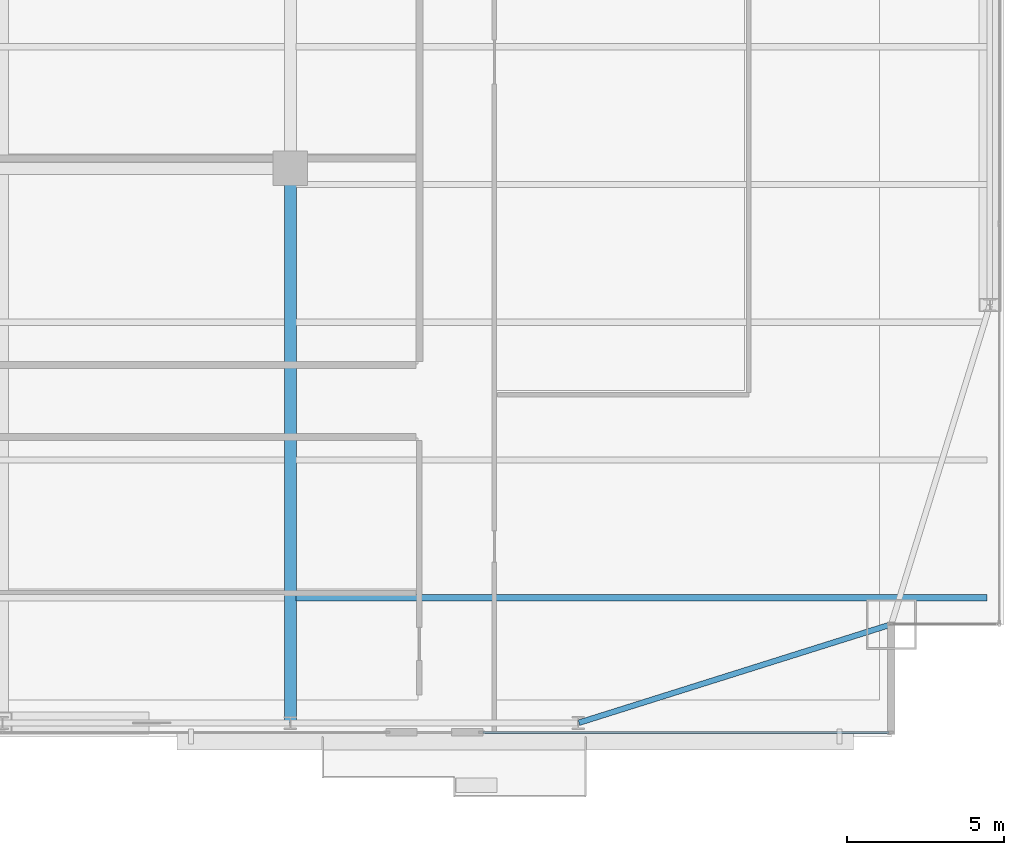
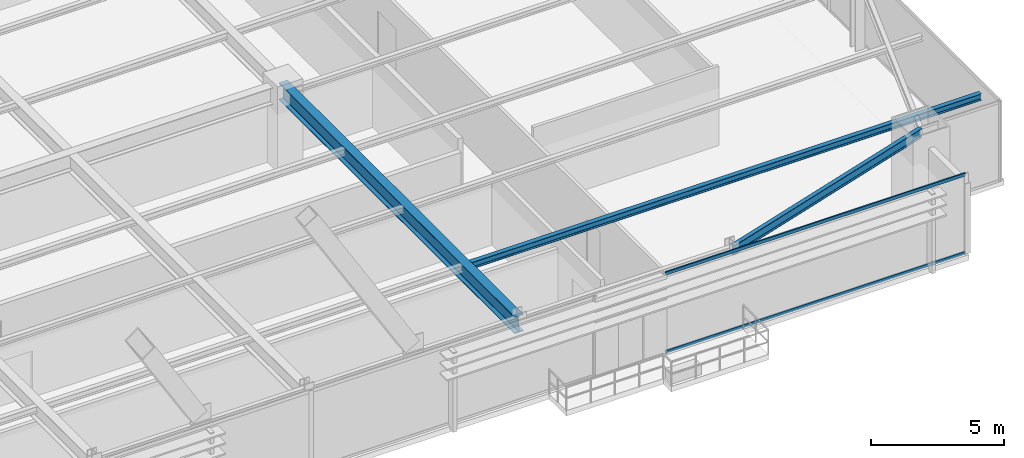
# One storey, part 13 of 34: 3 beams, 2 members, 1 element without a shape of its own.
"""IFC4 building model written with IfcOpenShell, lengths in metres."""

import ifcopenshell
import ifcopenshell.guid

model = None  # the IFC model being written
_history = None  # IfcOwnerHistory: only IFC2X3 demands one
_inside = {}  # id of a spatial element -> (the spatial element, [elements in it])
_under = {}  # id of a project, library or spatial element -> (it, [spatial elements below it])
_declared = {}  # id of a project -> (the project, [libraries it declares])
_typed = {}  # id of a type object -> (the type object, [elements of that type])
_made_of = {}  # id of a material, layer set ... -> (it, [elements and type objects made of it])


def new_model(schema):
    """Start an empty IFC model of exactly this schema.

    Asked for "IFC4X3", IfcOpenShell would pick the latest addendum, in which some entities
    have other attributes; the version numbers below select the first issue.
    IFC2X3 requires an IfcOwnerHistory on every rooted entity: one is made here for all.
    """
    global model, _history
    if schema == "IFC4X3":
        model = ifcopenshell.file(schema_version=(4, 3, 0, 0))
    else:
        model = ifcopenshell.file(schema=schema)
    _inside.clear()
    _under.clear()
    _declared.clear()
    _typed.clear()
    _made_of.clear()
    _history = None
    if model.schema == "IFC2X3":
        org = make("IfcOrganization", Name="unknown")
        user = make(
            "IfcPersonAndOrganization",
            ThePerson=make("IfcPerson", FamilyName="unknown"),
            TheOrganization=org,
        )
        app = make(
            "IfcApplication",
            ApplicationDeveloper=org,
            Version="unknown",
            ApplicationFullName="unknown",
            ApplicationIdentifier="unknown",
        )
        _history = make(
            "IfcOwnerHistory",
            OwningUser=user,
            OwningApplication=app,
            ChangeAction="ADDED",
            CreationDate=0,
        )
    return model


def make(cls, **values):
    """One entity of the class cls with the attributes given. An attribute that is None is left unset."""
    return model.create_entity(
        cls, **{name: value for name, value in values.items() if value is not None}
    )


def rooted(cls, **values):
    """An entity with a GlobalId (a new one), such as an element, a storey or a relation."""
    return make(cls, GlobalId=ifcopenshell.guid.new(), OwnerHistory=_history, **values)


def si_unit(unit_type, name, prefix=None):
    """IfcSIUnit, for example si_unit("LENGTHUNIT", "METRE", prefix="MILLI")."""
    return make("IfcSIUnit", UnitType=unit_type, Prefix=prefix, Name=name)


def assignment(units):
    """IfcUnitAssignment: the units of a project."""
    return None if units is None else make("IfcUnitAssignment", Units=units)


def point(xyz):
    """IfcCartesianPoint."""
    return None if xyz is None else make("IfcCartesianPoint", Coordinates=xyz)


def direction(xyz):
    """IfcDirection."""
    return None if xyz is None else make("IfcDirection", DirectionRatios=xyz)


def frame(location, z_axis=None, x_axis=None):
    """IfcAxis2Placement3D, a coordinate frame: its origin and axes. An axis left out is left unset."""
    return make(
        "IfcAxis2Placement3D",
        Location=point(location),
        Axis=direction(z_axis),
        RefDirection=direction(x_axis),
    )


def frame_2d(location, x_axis=None):
    """IfcAxis2Placement2D, a coordinate frame in the plane: its origin and x axis."""
    return make(
        "IfcAxis2Placement2D", Location=point(location), RefDirection=direction(x_axis)
    )


def origin():
    """The frame at (0, 0, 0) with its axes left unset."""
    return frame((0.0, 0.0, 0.0))


def origin_2d():
    """The frame at (0, 0) in the plane with its x axis left unset."""
    return frame_2d((0.0, 0.0))


def place(relative_to, where):
    """IfcLocalPlacement: puts the frame where relative to a parent placement (None: the world)."""
    return make(
        "IfcLocalPlacement", PlacementRelTo=relative_to, RelativePlacement=where
    )


def context(
    kind, dimensions, precision=None, world=None, true_north=None, identifier=None
):
    """IfcGeometricRepresentationContext, for example the 3D "Model" context."""
    return make(
        "IfcGeometricRepresentationContext",
        ContextIdentifier=identifier,
        ContextType=kind,
        CoordinateSpaceDimension=dimensions,
        Precision=precision,
        WorldCoordinateSystem=world,
        TrueNorth=true_north,
    )


def subcontext(parent, identifier, kind, view, scale=None):
    """IfcGeometricRepresentationSubContext, for example "Body" below "Model"."""
    return make(
        "IfcGeometricRepresentationSubContext",
        ContextIdentifier=identifier,
        ContextType=kind,
        ParentContext=parent,
        TargetScale=scale,
        TargetView=view,
    )


def project(units=None, contexts=None):
    """IfcProject with its units and contexts."""
    return rooted(
        "IfcProject",
        Name="project",
        RepresentationContexts=contexts,
        UnitsInContext=assignment(units),
    )


def spatial(cls, under=None, at=None, **own):
    """A site, building, storey or space (cls), placed at a placement, below another one or the project."""
    s = rooted(cls, ObjectPlacement=at, **own)
    if under is not None:
        _under.setdefault(under.id(), (under, []))[1].append(s)
    return s


def profile(cls, at=None, kind="AREA", **sizes):
    """A parametric profile (cls). Its sizes go by their IFC names, for example OverallWidth=200.0."""
    return make(cls, ProfileType=kind, Position=at, **sizes)


def hollow_rectangle(**sizes):
    """IfcRectangleHollowProfileDef."""
    return profile("IfcRectangleHollowProfileDef", **sizes)


def i_section(**sizes):
    """IfcIShapeProfileDef."""
    return profile("IfcIShapeProfileDef", **sizes)


def extrude(swept, where, along, depth):
    """IfcExtrudedAreaSolid: the profile swept, set in the frame where, extruded along a direction by depth."""
    return make(
        "IfcExtrudedAreaSolid",
        SweptArea=swept,
        Position=where,
        ExtrudedDirection=direction(along),
        Depth=depth,
    )


def shape(context_of_items, identifier, shape_type, items):
    """IfcShapeRepresentation: the items that make up one representation, for example the "Body"."""
    return make(
        "IfcShapeRepresentation",
        ContextOfItems=context_of_items,
        RepresentationIdentifier=identifier,
        RepresentationType=shape_type,
        Items=items,
    )


def source(mapping_origin, context_of_items, identifier, shape_type, items):
    """IfcRepresentationMap: a shape defined once, which mapped items show again and again."""
    return make(
        "IfcRepresentationMap",
        MappingOrigin=mapping_origin,
        MappedRepresentation=shape(context_of_items, identifier, shape_type, items),
    )


def transform(
    local_origin,
    x_axis=None,
    y_axis=None,
    z_axis=None,
    scale=None,
    scale2=None,
    scale3=None,
    uniform=True,
):
    """IfcCartesianTransformationOperator3D, or its non-uniform kind. x_axis, y_axis, z_axis: its Axis1, 2, 3."""
    if uniform:
        return make(
            "IfcCartesianTransformationOperator3D",
            Axis1=direction(x_axis),
            Axis2=direction(y_axis),
            LocalOrigin=point(local_origin),
            Scale=scale,
            Axis3=direction(z_axis),
        )
    return make(
        "IfcCartesianTransformationOperator3DnonUniform",
        Axis1=direction(x_axis),
        Axis2=direction(y_axis),
        LocalOrigin=point(local_origin),
        Scale=scale,
        Axis3=direction(z_axis),
        Scale2=scale2,
        Scale3=scale3,
    )


def mapped(mapping_source, mapping_target):
    """IfcMappedItem: shows the shape of a source again, moved by a transform."""
    return make(
        "IfcMappedItem", MappingSource=mapping_source, MappingTarget=mapping_target
    )


def material(Name=None, Category=None):
    """IfcMaterial."""
    return make("IfcMaterial", Name=Name, Category=Category)


def layer(
    of_material, thickness, ventilated=None, Name=None, Category=None, Priority=None
):
    """IfcMaterialLayer: one layer of a wall or slab, of a material (None: an air gap)."""
    return make(
        "IfcMaterialLayer",
        Material=of_material,
        LayerThickness=thickness,
        IsVentilated=ventilated,
        Name=Name,
        Category=Category,
        Priority=Priority,
    )


def layer_set(layers, Name=None):
    """IfcMaterialLayerSet."""
    return make("IfcMaterialLayerSet", MaterialLayers=layers, LayerSetName=Name)


def material_profile(
    of_material, cross_section, Name=None, Category=None, Priority=None
):
    """IfcMaterialProfile: a cross section and its material."""
    return make(
        "IfcMaterialProfile",
        Name=Name,
        Material=of_material,
        Profile=cross_section,
        Priority=Priority,
        Category=Category,
    )


def profile_set(profiles, Name=None, composite=None):
    """IfcMaterialProfileSet."""
    return make(
        "IfcMaterialProfileSet",
        Name=Name,
        MaterialProfiles=profiles,
        CompositeProfile=composite,
    )


def made_of(thing, what):
    """Note that an element or type object is made of a material, layer set ...; save() writes the relation."""
    if what is not None:
        _made_of.setdefault(what.id(), (what, []))[1].append(thing)
    return thing


def type_object(cls, material=None, **own):
    """A type object (cls), such as IfcWallType, which elements share."""
    return made_of(rooted(cls, **own), material)


def type_shapes(of_type, sources):
    """Give a type object the sources (RepresentationMaps) that its elements show as mapped items."""
    of_type.RepresentationMaps = sources


def element(
    cls,
    number,
    at=None,
    inside=None,
    cuts=None,
    type_object=None,
    material=None,
    context=None,
    identifier="Body",
    shape_type=None,
    held_by="IfcProductDefinitionShape",
    body=None,
    shapes=None,
    **own,
):
    """One element of the class cls, such as IfcWall. Its Tag is "e" and its number.

    at: its placement. inside: the storey or other place that contains it. cuts: it is an
    opening in that element (IfcRelVoidsElement). A single representation is given by context,
    identifier, shape_type and body (its items); several are given by shapes. held_by: the class
    of the entity that holds the representations. save() writes the other relations.
    """
    e = rooted(cls, Tag="e%d" % number, ObjectPlacement=at, **own)
    if body is not None:
        shapes = [shape(context, identifier, shape_type, body)]
    if shapes is not None:
        e.Representation = make(held_by, Representations=shapes)
    if inside is not None:
        _inside.setdefault(inside.id(), (inside, []))[1].append(e)
    if cuts is not None:
        rooted(
            "IfcRelVoidsElement", RelatingBuildingElement=cuts, RelatedOpeningElement=e
        )
    if type_object is not None:
        _typed.setdefault(type_object.id(), (type_object, []))[1].append(e)
    return made_of(e, material)


def aggregate(whole, parts):
    """IfcRelAggregates: a whole, such as a stair, and the parts it consists of."""
    return rooted("IfcRelAggregates", RelatingObject=whole, RelatedObjects=parts)


def save(model, path):
    """Write the relations noted so far, then the file.

    IfcRelAggregates (storeys below a building ...), IfcRelContainedInSpatialStructure (elements
    in a storey), IfcRelDefinesByType, IfcRelAssociatesMaterial and IfcRelDeclares: one each for
    every whole, place, type object, material and project.
    """
    for whole, parts in _under.values():
        aggregate(whole, parts)
    for where, things in _inside.values():
        rooted(
            "IfcRelContainedInSpatialStructure",
            RelatedElements=things,
            RelatingStructure=where,
        )
    for kind, things in _typed.values():
        rooted("IfcRelDefinesByType", RelatedObjects=things, RelatingType=kind)
    for what, things in _made_of.values():
        rooted("IfcRelAssociatesMaterial", RelatedObjects=things, RelatingMaterial=what)
    for by, libraries in _declared.values():
        rooted("IfcRelDeclares", RelatingContext=by, RelatedDefinitions=libraries)
    model.write(path)


model = new_model("IFC4")

# Units and contexts
model_context = context("Model", 3, precision=1e-05, world=origin(), true_north=direction((0.0, 1.0)))
body_context = subcontext(model_context, "Body", "Model", "MODEL_VIEW")
ifc_project = project(units=[si_unit("LENGTHUNIT", "METRE"), si_unit("AREAUNIT", "SQUARE_METRE"), si_unit("VOLUMEUNIT", "CUBIC_METRE"), si_unit("PLANEANGLEUNIT", "RADIAN"), si_unit("MASSUNIT", "GRAM", prefix="KILO")], contexts=[model_context])

# Site, building, storey
site_placement = place(None, origin())
site = spatial("IfcSite", under=ifc_project, at=site_placement, CompositionType="ELEMENT")
building_placement = place(site_placement, origin())
building = spatial("IfcBuilding", under=site, at=building_placement, Name="Varnel Quay Broadcast Tower", CompositionType="ELEMENT")
storey_placement = place(building_placement, frame((0.0, 0.0, 47.10009765625)))
storey = spatial("IfcBuildingStorey", under=building, at=storey_placement, Name="L10", CompositionType="ELEMENT", Elevation=47.10009765625)

# Beams
ifc_material_1 = material(Name="Structural Steel CSA G40.21 350W", Category="steel")
ifc_material_profile_1 = material_profile(ifc_material_1, i_section(OverallWidth=0.180908203125, OverallDepth=0.4169921875, WebThickness=0.010986328125, FlangeThickness=0.018310546875, FilletRadius=0.011962890625, at=origin_2d()), Name="W410X85")
ifc_profile_set_1 = profile_set([ifc_material_profile_1], Name="Structural Steel CSA G40.21 350W")
beam_type_1 = type_object("IfcBeamType", Name="Beam_W410X85", PredefinedType="SPANDREL", material=ifc_profile_set_1)
shared_shape_1 = source(origin(), body_context, "Body", "SweptSolid", [
    extrude(i_section(OverallWidth=0.180908203125, OverallDepth=0.4169921875, WebThickness=0.010986328125, FlangeThickness=0.018310546875, FilletRadius=0.011962890625, at=origin_2d()), origin(), (0.0, 0.0, 1.0), 10.444091796875),
])
type_shapes(beam_type_1, [shared_shape_1])
beam_1_placement = place(storey_placement, frame((52.419189453125, 1.656005859375, 3.44140625), z_axis=(0.953798277271, 0.300447743003, 0.0), x_axis=(-0.300447743003, 0.953798277271, 0.0)))
element("IfcBeam", 1, at=beam_1_placement, inside=storey, type_object=beam_type_1, Name="L10 South Spandrel TC-S5-MC-SE", PredefinedType="SPANDREL", context=body_context, shape_type="MappedRepresentation", body=[
    mapped(shared_shape_1, transform((0.0, 0.0, 0.0), x_axis=(1.0, 0.0, 0.0), y_axis=(0.0, 1.0, 0.0), z_axis=(0.0, 0.0, 1.0), scale=1.0)),
])
ifc_material_profile_2 = material_profile(ifc_material_1, i_section(OverallWidth=0.381103515625, OverallDepth=0.77294921875, WebThickness=0.0166015625, FlangeThickness=0.027587890625, FilletRadius=0.01806640625, at=origin_2d()), Name="W760X257")
ifc_profile_set_2 = profile_set([ifc_material_profile_2], Name="Structural Steel CSA G40.21 350W")
beam_type_2 = type_object("IfcBeamType", Name="Girder_W760X257", PredefinedType="BEAM", material=ifc_profile_set_2)
shared_shape_2 = source(origin(), body_context, "Body", "SweptSolid", [
    extrude(i_section(OverallWidth=0.381103515625, OverallDepth=0.77294921875, WebThickness=0.0166015625, FlangeThickness=0.027587890625, FilletRadius=0.01806640625, at=origin_2d()), origin(), (0.0, 0.0, 1.0), 17.68017578125),
])
type_shapes(beam_type_2, [shared_shape_2])
beam_2_placement = place(storey_placement, frame((43.199951171875, 1.669921875, 3.263427734375), z_axis=(0.0, 1.0, 0.0), x_axis=(-1.0, 0.0, 0.0)))
element("IfcBeam", 2, at=beam_2_placement, inside=storey, type_object=beam_type_2, Name="L10 Primary Girder TC-S4-IC-02", PredefinedType="BEAM", context=body_context, shape_type="MappedRepresentation", body=[
    mapped(shared_shape_2, transform((0.0, 0.0, 0.0), x_axis=(1.0, 0.0, 0.0), y_axis=(0.0, 1.0, 0.0), z_axis=(0.0, 0.0, 1.0), scale=1.0)),
])
ifc_material_profile_3 = material_profile(ifc_material_1, i_section(OverallWidth=0.202880859375, OverallDepth=0.302978515625, WebThickness=0.007568359375, FlangeThickness=0.01318359375, FilletRadius=0.011962890625, at=origin_2d()), Name="W310X60")
ifc_profile_set_3 = profile_set([ifc_material_profile_3], Name="Structural Steel CSA G40.21 350W")
beam_type_3 = type_object("IfcBeamType", Name="Beam_W310X60", PredefinedType="JOIST", material=ifc_profile_set_3)
shared_shape_3 = source(origin(), body_context, "Body", "SweptSolid", [
    extrude(i_section(OverallWidth=0.202880859375, OverallDepth=0.302978515625, WebThickness=0.007568359375, FlangeThickness=0.01318359375, FilletRadius=0.011962890625, at=origin_2d()), origin(), (0.0, 0.0, 1.0), 22.0791015625),
])
type_shapes(beam_type_3, [shared_shape_3])
beam_3_placement = place(storey_placement, frame((43.385498046875, 5.64990234375, 3.498291015625), z_axis=(1.0, 0.0, 0.0), x_axis=(0.0, 1.0, 0.0)))
element("IfcBeam", 3, at=beam_3_placement, inside=storey, type_object=beam_type_3, Name="L10 East Floor Joist 1", PredefinedType="JOIST", context=body_context, shape_type="MappedRepresentation", body=[
    mapped(shared_shape_3, transform((0.0, 0.0, 0.0), x_axis=(1.0, 0.0, 0.0), y_axis=(0.0, 1.0, 0.0), z_axis=(0.0, 0.0, 1.0), scale=1.0)),
])

# Curtain wall, members
ifc_material_2 = material(Name="Anodised Bronze Aluminium 6063-T6", Category="aluminium")
ifc_layer = layer(ifc_material_2, 0.18994140625, Name="Anodised Bronze Aluminium 6063-T6")
ifc_layer_set = layer_set([ifc_layer], Name="Anodised Bronze Aluminium 6063-T6")
curtain_wall_type = type_object("IfcCurtainWallType", Name="CW_LowerTower", PredefinedType="NOTDEFINED", material=ifc_layer_set)
curtain_wall_placement = place(storey_placement, origin())
curtain_wall = element("IfcCurtainWall", 4, at=curtain_wall_placement, inside=storey, type_object=curtain_wall_type, Name="L10 South Unitised Curtain Wall 3", PredefinedType="NOTDEFINED")
ifc_material_profile_4 = material_profile(ifc_material_2, hollow_rectangle(XDim=0.06005859375, YDim=0.14501953125, WallThickness=0.00341796875, at=origin_2d()), Name="ALU60X145X3.5")
ifc_profile_set_4 = profile_set([ifc_material_profile_4], Name="Anodised Bronze Aluminium 6063-T6")
member_type = type_object("IfcMemberType", Name="Tran_CWS-02", PredefinedType="USERDEFINED", material=ifc_profile_set_4)
shared_shape_4 = source(origin(), body_context, "Body", "SweptSolid", [
    extrude(hollow_rectangle(XDim=0.06005859375, YDim=0.14501953125, WallThickness=0.00341796875, at=origin_2d()), origin(), (0.0, 0.0, 1.0), 12.97998046875),
])
type_shapes(member_type, [shared_shape_4])
member_1_placement = place(storey_placement, frame((49.35009765625, 1.35009765625, 0.02978515625), z_axis=(1.0, 0.0, 0.0), x_axis=(0.0, 1.0, 0.0)))
member_1 = element("IfcMember", 5, at=member_1_placement, type_object=member_type, Name="CWS-02 transom 1.1", ObjectType="TRANSOM", PredefinedType="USERDEFINED", context=body_context, shape_type="MappedRepresentation", body=[
    mapped(shared_shape_4, transform((0.0, 0.0, 0.0), x_axis=(1.0, 0.0, 0.0), y_axis=(0.0, 1.0, 0.0), z_axis=(0.0, 0.0, 1.0), scale=1.0)),
])
member_2_placement = place(storey_placement, frame((49.35009765625, 1.35009765625, 3.619873046875), z_axis=(1.0, 0.0, 0.0), x_axis=(0.0, 1.0, 0.0)))
member_2 = element("IfcMember", 6, at=member_2_placement, type_object=member_type, Name="CWS-02 transom 1.2", ObjectType="TRANSOM", PredefinedType="USERDEFINED", context=body_context, shape_type="MappedRepresentation", body=[
    mapped(shared_shape_4, transform((0.0, 0.0, 0.0), x_axis=(1.0, 0.0, 0.0), y_axis=(0.0, 1.0, 0.0), z_axis=(0.0, 0.0, 1.0), scale=1.0)),
])
aggregate(curtain_wall, [member_1, member_2])

save(model, "model.ifc")
